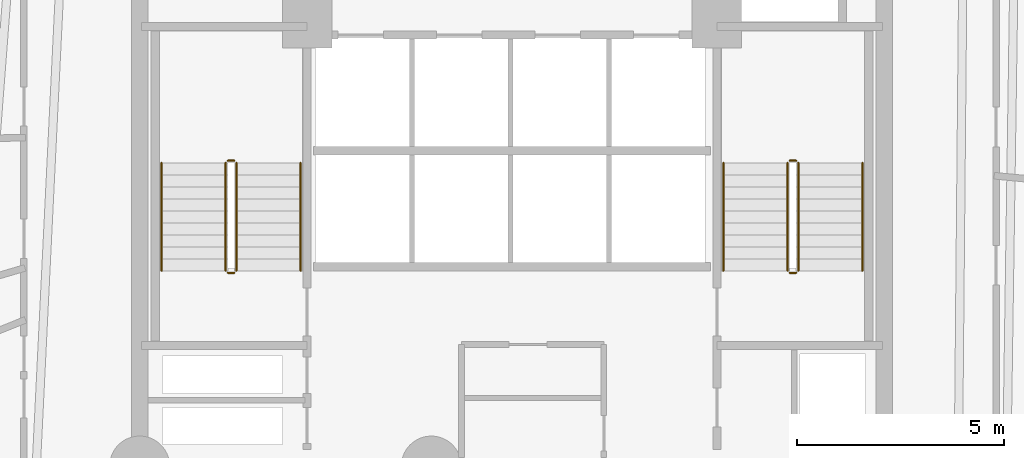
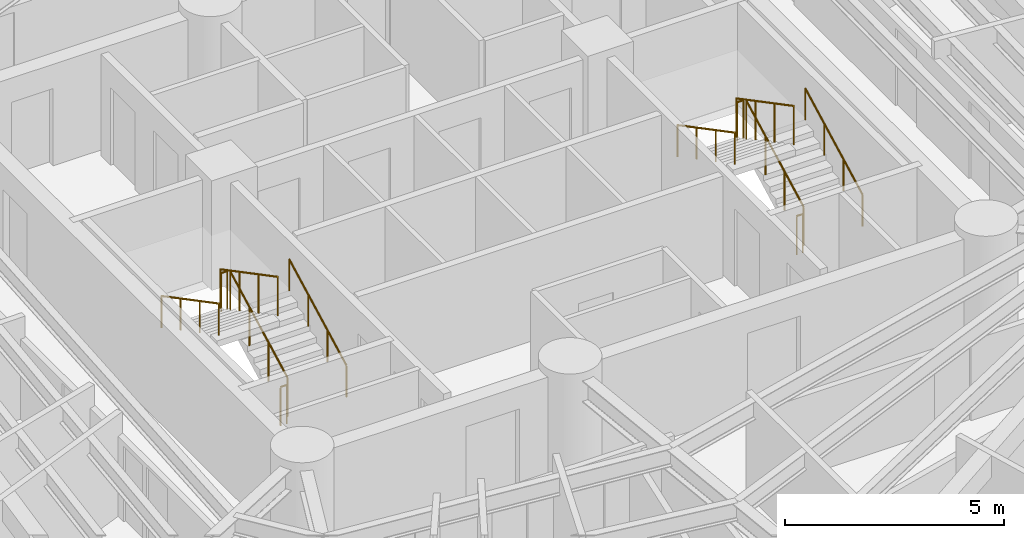
# One storey, part 8 of 8: 12 railings.
"""IFC4 building model written with IfcOpenShell, lengths in metres."""

import ifcopenshell
import ifcopenshell.guid

model = None  # the IFC model being written
_history = None  # IfcOwnerHistory: only IFC2X3 demands one
_inside = {}  # id of a spatial element -> (the spatial element, [elements in it])
_under = {}  # id of a project, library or spatial element -> (it, [spatial elements below it])
_declared = {}  # id of a project -> (the project, [libraries it declares])
_typed = {}  # id of a type object -> (the type object, [elements of that type])
_made_of = {}  # id of a material, layer set ... -> (it, [elements and type objects made of it])


def new_model(schema):
    """Start an empty IFC model of exactly this schema.

    Asked for "IFC4X3", IfcOpenShell would pick the latest addendum, in which some entities
    have other attributes; the version numbers below select the first issue.
    IFC2X3 requires an IfcOwnerHistory on every rooted entity: one is made here for all.
    """
    global model, _history
    if schema == "IFC4X3":
        model = ifcopenshell.file(schema_version=(4, 3, 0, 0))
    else:
        model = ifcopenshell.file(schema=schema)
    _inside.clear()
    _under.clear()
    _declared.clear()
    _typed.clear()
    _made_of.clear()
    _history = None
    if model.schema == "IFC2X3":
        org = make("IfcOrganization", Name="unknown")
        user = make(
            "IfcPersonAndOrganization",
            ThePerson=make("IfcPerson", FamilyName="unknown"),
            TheOrganization=org,
        )
        app = make(
            "IfcApplication",
            ApplicationDeveloper=org,
            Version="unknown",
            ApplicationFullName="unknown",
            ApplicationIdentifier="unknown",
        )
        _history = make(
            "IfcOwnerHistory",
            OwningUser=user,
            OwningApplication=app,
            ChangeAction="ADDED",
            CreationDate=0,
        )
    return model


def make(cls, **values):
    """One entity of the class cls with the attributes given. An attribute that is None is left unset."""
    return model.create_entity(
        cls, **{name: value for name, value in values.items() if value is not None}
    )


def rooted(cls, **values):
    """An entity with a GlobalId (a new one), such as an element, a storey or a relation."""
    return make(cls, GlobalId=ifcopenshell.guid.new(), OwnerHistory=_history, **values)


def si_unit(unit_type, name, prefix=None):
    """IfcSIUnit, for example si_unit("LENGTHUNIT", "METRE", prefix="MILLI")."""
    return make("IfcSIUnit", UnitType=unit_type, Prefix=prefix, Name=name)


def assignment(units):
    """IfcUnitAssignment: the units of a project."""
    return None if units is None else make("IfcUnitAssignment", Units=units)


def point(xyz):
    """IfcCartesianPoint."""
    return None if xyz is None else make("IfcCartesianPoint", Coordinates=xyz)


def direction(xyz):
    """IfcDirection."""
    return None if xyz is None else make("IfcDirection", DirectionRatios=xyz)


def frame(location, z_axis=None, x_axis=None):
    """IfcAxis2Placement3D, a coordinate frame: its origin and axes. An axis left out is left unset."""
    return make(
        "IfcAxis2Placement3D",
        Location=point(location),
        Axis=direction(z_axis),
        RefDirection=direction(x_axis),
    )


def frame_2d(location, x_axis=None):
    """IfcAxis2Placement2D, a coordinate frame in the plane: its origin and x axis."""
    return make(
        "IfcAxis2Placement2D", Location=point(location), RefDirection=direction(x_axis)
    )


def origin():
    """The frame at (0, 0, 0) with its axes left unset."""
    return frame((0.0, 0.0, 0.0))


def origin_2d():
    """The frame at (0, 0) in the plane with its x axis left unset."""
    return frame_2d((0.0, 0.0))


def place(relative_to, where):
    """IfcLocalPlacement: puts the frame where relative to a parent placement (None: the world)."""
    return make(
        "IfcLocalPlacement", PlacementRelTo=relative_to, RelativePlacement=where
    )


def context(
    kind, dimensions, precision=None, world=None, true_north=None, identifier=None
):
    """IfcGeometricRepresentationContext, for example the 3D "Model" context."""
    return make(
        "IfcGeometricRepresentationContext",
        ContextIdentifier=identifier,
        ContextType=kind,
        CoordinateSpaceDimension=dimensions,
        Precision=precision,
        WorldCoordinateSystem=world,
        TrueNorth=true_north,
    )


def subcontext(parent, identifier, kind, view, scale=None):
    """IfcGeometricRepresentationSubContext, for example "Body" below "Model"."""
    return make(
        "IfcGeometricRepresentationSubContext",
        ContextIdentifier=identifier,
        ContextType=kind,
        ParentContext=parent,
        TargetScale=scale,
        TargetView=view,
    )


def project(units=None, contexts=None):
    """IfcProject with its units and contexts."""
    return rooted(
        "IfcProject",
        Name="project",
        RepresentationContexts=contexts,
        UnitsInContext=assignment(units),
    )


def spatial(cls, under=None, at=None, **own):
    """A site, building, storey or space (cls), placed at a placement, below another one or the project."""
    s = rooted(cls, ObjectPlacement=at, **own)
    if under is not None:
        _under.setdefault(under.id(), (under, []))[1].append(s)
    return s


def profile(cls, at=None, kind="AREA", **sizes):
    """A parametric profile (cls). Its sizes go by their IFC names, for example OverallWidth=200.0."""
    return make(cls, ProfileType=kind, Position=at, **sizes)


def circle(**sizes):
    """IfcCircleProfileDef."""
    return profile("IfcCircleProfileDef", **sizes)


def extrude(swept, where, along, depth):
    """IfcExtrudedAreaSolid: the profile swept, set in the frame where, extruded along a direction by depth."""
    return make(
        "IfcExtrudedAreaSolid",
        SweptArea=swept,
        Position=where,
        ExtrudedDirection=direction(along),
        Depth=depth,
    )


def shape(context_of_items, identifier, shape_type, items):
    """IfcShapeRepresentation: the items that make up one representation, for example the "Body"."""
    return make(
        "IfcShapeRepresentation",
        ContextOfItems=context_of_items,
        RepresentationIdentifier=identifier,
        RepresentationType=shape_type,
        Items=items,
    )


def material(Name=None, Category=None):
    """IfcMaterial."""
    return make("IfcMaterial", Name=Name, Category=Category)


def layer(
    of_material, thickness, ventilated=None, Name=None, Category=None, Priority=None
):
    """IfcMaterialLayer: one layer of a wall or slab, of a material (None: an air gap)."""
    return make(
        "IfcMaterialLayer",
        Material=of_material,
        LayerThickness=thickness,
        IsVentilated=ventilated,
        Name=Name,
        Category=Category,
        Priority=Priority,
    )


def layer_set(layers, Name=None):
    """IfcMaterialLayerSet."""
    return make("IfcMaterialLayerSet", MaterialLayers=layers, LayerSetName=Name)


def made_of(thing, what):
    """Note that an element or type object is made of a material, layer set ...; save() writes the relation."""
    if what is not None:
        _made_of.setdefault(what.id(), (what, []))[1].append(thing)
    return thing


def type_object(cls, material=None, **own):
    """A type object (cls), such as IfcWallType, which elements share."""
    return made_of(rooted(cls, **own), material)


def element(
    cls,
    number,
    at=None,
    inside=None,
    cuts=None,
    type_object=None,
    material=None,
    context=None,
    identifier="Body",
    shape_type=None,
    held_by="IfcProductDefinitionShape",
    body=None,
    shapes=None,
    **own,
):
    """One element of the class cls, such as IfcWall. Its Tag is "e" and its number.

    at: its placement. inside: the storey or other place that contains it. cuts: it is an
    opening in that element (IfcRelVoidsElement). A single representation is given by context,
    identifier, shape_type and body (its items); several are given by shapes. held_by: the class
    of the entity that holds the representations. save() writes the other relations.
    """
    e = rooted(cls, Tag="e%d" % number, ObjectPlacement=at, **own)
    if body is not None:
        shapes = [shape(context, identifier, shape_type, body)]
    if shapes is not None:
        e.Representation = make(held_by, Representations=shapes)
    if inside is not None:
        _inside.setdefault(inside.id(), (inside, []))[1].append(e)
    if cuts is not None:
        rooted(
            "IfcRelVoidsElement", RelatingBuildingElement=cuts, RelatedOpeningElement=e
        )
    if type_object is not None:
        _typed.setdefault(type_object.id(), (type_object, []))[1].append(e)
    return made_of(e, material)


def aggregate(whole, parts):
    """IfcRelAggregates: a whole, such as a stair, and the parts it consists of."""
    return rooted("IfcRelAggregates", RelatingObject=whole, RelatedObjects=parts)


def save(model, path):
    """Write the relations noted so far, then the file.

    IfcRelAggregates (storeys below a building ...), IfcRelContainedInSpatialStructure (elements
    in a storey), IfcRelDefinesByType, IfcRelAssociatesMaterial and IfcRelDeclares: one each for
    every whole, place, type object, material and project.
    """
    for whole, parts in _under.values():
        aggregate(whole, parts)
    for where, things in _inside.values():
        rooted(
            "IfcRelContainedInSpatialStructure",
            RelatedElements=things,
            RelatingStructure=where,
        )
    for kind, things in _typed.values():
        rooted("IfcRelDefinesByType", RelatedObjects=things, RelatingType=kind)
    for what, things in _made_of.values():
        rooted("IfcRelAssociatesMaterial", RelatedObjects=things, RelatingMaterial=what)
    for by, libraries in _declared.values():
        rooted("IfcRelDeclares", RelatingContext=by, RelatedDefinitions=libraries)
    model.write(path)


model = new_model("IFC4")

# Units and contexts
model_context = context("Model", 3, precision=1e-05, world=origin(), true_north=direction((0.0, 1.0)))
body_context = subcontext(model_context, "Body", "Model", "MODEL_VIEW")
ifc_project = project(units=[si_unit("LENGTHUNIT", "METRE"), si_unit("AREAUNIT", "SQUARE_METRE"), si_unit("VOLUMEUNIT", "CUBIC_METRE"), si_unit("PLANEANGLEUNIT", "RADIAN"), si_unit("MASSUNIT", "GRAM", prefix="KILO")], contexts=[model_context])

# Site, building, storey
site_placement = place(None, origin())
site = spatial("IfcSite", under=ifc_project, at=site_placement, CompositionType="ELEMENT")
building_placement = place(site_placement, origin())
building = spatial("IfcBuilding", under=site, at=building_placement, Name="Karkom Vertical University and Central Library", CompositionType="ELEMENT")
storey_placement = place(building_placement, frame((0.0, 0.0, 108.39990234375)))
storey = spatial("IfcBuildingStorey", under=building, at=storey_placement, Name="L29", CompositionType="ELEMENT", Elevation=108.39990234375)

# Railings
ifc_material_1 = material(Name="Painted galvanised steel balustrade", Category="steel")
ifc_layer_1 = layer(ifc_material_1, 0.06005859375)
ifc_layer_set_1 = layer_set([ifc_layer_1], Name="Painted galvanised steel balustrade")
railing_type_1 = type_object("IfcRailingType", Name="INT-RL-GUARD1100", PredefinedType="GUARDRAIL", material=ifc_layer_set_1)
railing_1_placement = place(storey_placement, frame((21.840087890625, 23.02001953125, 0.152587890625)))
element("IfcRailing", 1, at=railing_1_placement, inside=storey, type_object=railing_type_1, Name="Level 29 ST-1 stair guard 1", PredefinedType="GUARDRAIL", context=body_context, shape_type="SweptSolid", body=[
    extrude(circle(Radius=0.02392578125, at=origin_2d()), frame((0.0, 0.0, 1.076171875), z_axis=(0.0, 0.885065446896, 0.46546659892), x_axis=(-1.0, 0.0, 0.0)), (0.0, 0.0, 1.0), 2.94873046875),
    extrude(circle(Radius=0.02099609375, at=origin_2d()), origin(), (0.0, 0.0, 1.0), 1.052001953125),
    extrude(circle(Radius=0.02099609375, at=origin_2d()), frame((0.0, 0.869873046875, 0.45751953125)), (0.0, 0.0, 1.0), 1.052001953125),
    extrude(circle(Radius=0.02099609375, at=origin_2d()), frame((0.0, 1.739990234375, 0.9150390625)), (0.0, 0.0, 1.0), 1.052001953125),
    extrude(circle(Radius=0.02099609375, at=origin_2d()), frame((0.0, 2.60986328125, 1.37255859375)), (0.0, 0.0, 1.0), 1.052001953125),
])
railing_2_placement = place(storey_placement, frame((21.7900390625, 25.679931640625, 1.525146484375)))
element("IfcRailing", 2, at=railing_2_placement, inside=storey, type_object=railing_type_1, Name="Level 29 ST-1 stair guard 2", PredefinedType="GUARDRAIL", context=body_context, shape_type="SweptSolid", body=[
    extrude(circle(Radius=0.02392578125, at=origin_2d()), frame((0.0, 0.0, 1.076171875), z_axis=(-1.0, 0.0, 0.0), x_axis=(0.0, -1.0, 0.0)), (0.0, 0.0, 1.0), 0.16015625),
    extrude(circle(Radius=0.02099609375, at=origin_2d()), origin(), (0.0, 0.0, 1.0), 1.052001953125),
    extrude(circle(Radius=0.02099609375, at=origin_2d()), frame((-0.16015625, 0.0, 0.0)), (0.0, 0.0, 1.0), 1.052001953125),
])
railing_3_placement = place(storey_placement, frame((21.580078125, 25.6298828125, 1.677490234375)))
element("IfcRailing", 3, at=railing_3_placement, inside=storey, type_object=railing_type_1, Name="Level 29 ST-1 stair guard 3", PredefinedType="GUARDRAIL", context=body_context, shape_type="SweptSolid", body=[
    extrude(circle(Radius=0.02392578125, at=origin_2d()), frame((0.0, 0.0, 1.076171875), z_axis=(0.0, -0.885065446896, 0.46546659892), x_axis=(1.0, 0.0, 0.0)), (0.0, 0.0, 1.0), 2.94873046875),
    extrude(circle(Radius=0.02099609375, at=origin_2d()), origin(), (0.0, 0.0, 1.0), 1.052001953125),
    extrude(circle(Radius=0.02099609375, at=origin_2d()), frame((0.0, -0.869873046875, 0.45751953125)), (0.0, 0.0, 1.0), 1.052001953125),
    extrude(circle(Radius=0.02099609375, at=origin_2d()), frame((0.0, -1.739990234375, 0.9150390625)), (0.0, 0.0, 1.0), 1.052001953125),
    extrude(circle(Radius=0.02099609375, at=origin_2d()), frame((0.0, -2.60986328125, 1.37255859375)), (0.0, 0.0, 1.0), 1.052001953125),
])
railing_4_placement = place(storey_placement, frame((21.7900390625, 22.969970703125, 0.0)))
element("IfcRailing", 4, at=railing_4_placement, inside=storey, type_object=railing_type_1, Name="Level 29 ST-1 stair guard 4", PredefinedType="GUARDRAIL", context=body_context, shape_type="SweptSolid", body=[
    extrude(circle(Radius=0.02392578125, at=origin_2d()), frame((0.0, 0.0, 1.076171875), z_axis=(-1.0, 0.0, 0.0), x_axis=(0.0, -1.0, 0.0)), (0.0, 0.0, 1.0), 0.16015625),
    extrude(circle(Radius=0.02099609375, at=origin_2d()), origin(), (0.0, 0.0, 1.0), 1.052001953125),
    extrude(circle(Radius=0.02099609375, at=origin_2d()), frame((-0.16015625, 0.0, 0.0)), (0.0, 0.0, 1.0), 1.052001953125),
])
railing_5_placement = place(storey_placement, frame((35.419921875, 23.02001953125, 0.152587890625)))
element("IfcRailing", 5, at=railing_5_placement, inside=storey, type_object=railing_type_1, Name="Level 29 ST-2 stair guard 1", PredefinedType="GUARDRAIL", context=body_context, shape_type="SweptSolid", body=[
    extrude(circle(Radius=0.02392578125, at=origin_2d()), frame((0.0, 0.0, 1.076171875), z_axis=(0.0, 0.885065446896, 0.46546659892), x_axis=(-1.0, 0.0, 0.0)), (0.0, 0.0, 1.0), 2.94873046875),
    extrude(circle(Radius=0.02099609375, at=origin_2d()), origin(), (0.0, 0.0, 1.0), 1.052001953125),
    extrude(circle(Radius=0.02099609375, at=origin_2d()), frame((0.0, 0.869873046875, 0.45751953125)), (0.0, 0.0, 1.0), 1.052001953125),
    extrude(circle(Radius=0.02099609375, at=origin_2d()), frame((0.0, 1.739990234375, 0.9150390625)), (0.0, 0.0, 1.0), 1.052001953125),
    extrude(circle(Radius=0.02099609375, at=origin_2d()), frame((0.0, 2.60986328125, 1.37255859375)), (0.0, 0.0, 1.0), 1.052001953125),
])
railing_6_placement = place(storey_placement, frame((35.3701171875, 25.679931640625, 1.525146484375)))
element("IfcRailing", 6, at=railing_6_placement, inside=storey, type_object=railing_type_1, Name="Level 29 ST-2 stair guard 2", PredefinedType="GUARDRAIL", context=body_context, shape_type="SweptSolid", body=[
    extrude(circle(Radius=0.02392578125, at=origin_2d()), frame((0.0, 0.0, 1.076171875), z_axis=(-1.0, 0.0, 0.0), x_axis=(0.0, -1.0, 0.0)), (0.0, 0.0, 1.0), 0.16015625),
    extrude(circle(Radius=0.02099609375, at=origin_2d()), origin(), (0.0, 0.0, 1.0), 1.052001953125),
    extrude(circle(Radius=0.02099609375, at=origin_2d()), frame((-0.16015625, 0.0, 0.0)), (0.0, 0.0, 1.0), 1.052001953125),
])
railing_7_placement = place(storey_placement, frame((35.159912109375, 25.6298828125, 1.677490234375)))
element("IfcRailing", 7, at=railing_7_placement, inside=storey, type_object=railing_type_1, Name="Level 29 ST-2 stair guard 3", PredefinedType="GUARDRAIL", context=body_context, shape_type="SweptSolid", body=[
    extrude(circle(Radius=0.02392578125, at=origin_2d()), frame((0.0, 0.0, 1.076171875), z_axis=(0.0, -0.885065446896, 0.46546659892), x_axis=(1.0, 0.0, 0.0)), (0.0, 0.0, 1.0), 2.94873046875),
    extrude(circle(Radius=0.02099609375, at=origin_2d()), origin(), (0.0, 0.0, 1.0), 1.052001953125),
    extrude(circle(Radius=0.02099609375, at=origin_2d()), frame((0.0, -0.869873046875, 0.45751953125)), (0.0, 0.0, 1.0), 1.052001953125),
    extrude(circle(Radius=0.02099609375, at=origin_2d()), frame((0.0, -1.739990234375, 0.9150390625)), (0.0, 0.0, 1.0), 1.052001953125),
    extrude(circle(Radius=0.02099609375, at=origin_2d()), frame((0.0, -2.60986328125, 1.37255859375)), (0.0, 0.0, 1.0), 1.052001953125),
])
railing_8_placement = place(storey_placement, frame((35.3701171875, 22.969970703125, 0.0)))
element("IfcRailing", 8, at=railing_8_placement, inside=storey, type_object=railing_type_1, Name="Level 29 ST-2 stair guard 4", PredefinedType="GUARDRAIL", context=body_context, shape_type="SweptSolid", body=[
    extrude(circle(Radius=0.02392578125, at=origin_2d()), frame((0.0, 0.0, 1.076171875), z_axis=(-1.0, 0.0, 0.0), x_axis=(0.0, -1.0, 0.0)), (0.0, 0.0, 1.0), 0.16015625),
    extrude(circle(Radius=0.02099609375, at=origin_2d()), origin(), (0.0, 0.0, 1.0), 1.052001953125),
    extrude(circle(Radius=0.02099609375, at=origin_2d()), frame((-0.16015625, 0.0, 0.0)), (0.0, 0.0, 1.0), 1.052001953125),
])
ifc_material_2 = material(Name="Brushed stainless-steel tubular handrail", Category="steel")
ifc_layer_2 = layer(ifc_material_2, 0.048095703125)
ifc_layer_set_2 = layer_set([ifc_layer_2], Name="Brushed stainless-steel tubular handrail")
railing_type_2 = type_object("IfcRailingType", Name="INT-RL-HAND920", PredefinedType="HANDRAIL", material=ifc_layer_set_2)
railing_9_placement = place(storey_placement, frame((23.389892578125, 23.02001953125, 0.152587890625)))
element("IfcRailing", 9, at=railing_9_placement, inside=storey, type_object=railing_type_2, Name="Level 29 ST-1 stair handrail 1", PredefinedType="HANDRAIL", context=body_context, shape_type="SweptSolid", body=[
    extrude(circle(Radius=0.02392578125, at=origin_2d()), frame((0.0, 0.0, 0.8759765625), z_axis=(0.0, 0.885065446896, 0.46546659892), x_axis=(-1.0, 0.0, 0.0)), (0.0, 0.0, 1.0), 2.94873046875),
    extrude(circle(Radius=0.02099609375, at=origin_2d()), origin(), (0.0, 0.0, 1.0), 0.851806640625),
    extrude(circle(Radius=0.02099609375, at=origin_2d()), frame((0.0, 0.869873046875, 0.45751953125)), (0.0, 0.0, 1.0), 0.851806640625),
    extrude(circle(Radius=0.02099609375, at=origin_2d()), frame((0.0, 1.739990234375, 0.9150390625)), (0.0, 0.0, 1.0), 0.851806640625),
    extrude(circle(Radius=0.02099609375, at=origin_2d()), frame((0.0, 2.60986328125, 1.37255859375)), (0.0, 0.0, 1.0), 0.851806640625),
])
railing_10_placement = place(storey_placement, frame((20.030029296875, 25.6298828125, 1.677490234375)))
element("IfcRailing", 10, at=railing_10_placement, inside=storey, type_object=railing_type_2, Name="Level 29 ST-1 stair handrail 2", PredefinedType="HANDRAIL", context=body_context, shape_type="SweptSolid", body=[
    extrude(circle(Radius=0.02392578125, at=origin_2d()), frame((0.0, 0.0, 0.8759765625), z_axis=(0.0, -0.885065446896, 0.46546659892), x_axis=(1.0, 0.0, 0.0)), (0.0, 0.0, 1.0), 2.94873046875),
    extrude(circle(Radius=0.02099609375, at=origin_2d()), origin(), (0.0, 0.0, 1.0), 0.851806640625),
    extrude(circle(Radius=0.02099609375, at=origin_2d()), frame((0.0, -0.869873046875, 0.45751953125)), (0.0, 0.0, 1.0), 0.851806640625),
    extrude(circle(Radius=0.02099609375, at=origin_2d()), frame((0.0, -1.739990234375, 0.9150390625)), (0.0, 0.0, 1.0), 0.851806640625),
    extrude(circle(Radius=0.02099609375, at=origin_2d()), frame((0.0, -2.60986328125, 1.37255859375)), (0.0, 0.0, 1.0), 0.851806640625),
])
railing_11_placement = place(storey_placement, frame((36.969970703125, 23.02001953125, 0.152587890625)))
element("IfcRailing", 11, at=railing_11_placement, inside=storey, type_object=railing_type_2, Name="Level 29 ST-2 stair handrail 1", PredefinedType="HANDRAIL", context=body_context, shape_type="SweptSolid", body=[
    extrude(circle(Radius=0.02392578125, at=origin_2d()), frame((0.0, 0.0, 0.8759765625), z_axis=(0.0, 0.885065446896, 0.46546659892), x_axis=(-1.0, 0.0, 0.0)), (0.0, 0.0, 1.0), 2.94873046875),
    extrude(circle(Radius=0.02099609375, at=origin_2d()), origin(), (0.0, 0.0, 1.0), 0.851806640625),
    extrude(circle(Radius=0.02099609375, at=origin_2d()), frame((0.0, 0.869873046875, 0.45751953125)), (0.0, 0.0, 1.0), 0.851806640625),
    extrude(circle(Radius=0.02099609375, at=origin_2d()), frame((0.0, 1.739990234375, 0.9150390625)), (0.0, 0.0, 1.0), 0.851806640625),
    extrude(circle(Radius=0.02099609375, at=origin_2d()), frame((0.0, 2.60986328125, 1.37255859375)), (0.0, 0.0, 1.0), 0.851806640625),
])
railing_12_placement = place(storey_placement, frame((33.610107421875, 25.6298828125, 1.677490234375)))
element("IfcRailing", 12, at=railing_12_placement, inside=storey, type_object=railing_type_2, Name="Level 29 ST-2 stair handrail 2", PredefinedType="HANDRAIL", context=body_context, shape_type="SweptSolid", body=[
    extrude(circle(Radius=0.02392578125, at=origin_2d()), frame((0.0, 0.0, 0.8759765625), z_axis=(0.0, -0.885065446896, 0.46546659892), x_axis=(1.0, 0.0, 0.0)), (0.0, 0.0, 1.0), 2.94873046875),
    extrude(circle(Radius=0.02099609375, at=origin_2d()), origin(), (0.0, 0.0, 1.0), 0.851806640625),
    extrude(circle(Radius=0.02099609375, at=origin_2d()), frame((0.0, -0.869873046875, 0.45751953125)), (0.0, 0.0, 1.0), 0.851806640625),
    extrude(circle(Radius=0.02099609375, at=origin_2d()), frame((0.0, -1.739990234375, 0.9150390625)), (0.0, 0.0, 1.0), 0.851806640625),
    extrude(circle(Radius=0.02099609375, at=origin_2d()), frame((0.0, -2.60986328125, 1.37255859375)), (0.0, 0.0, 1.0), 0.851806640625),
])

save(model, "model.ifc")
